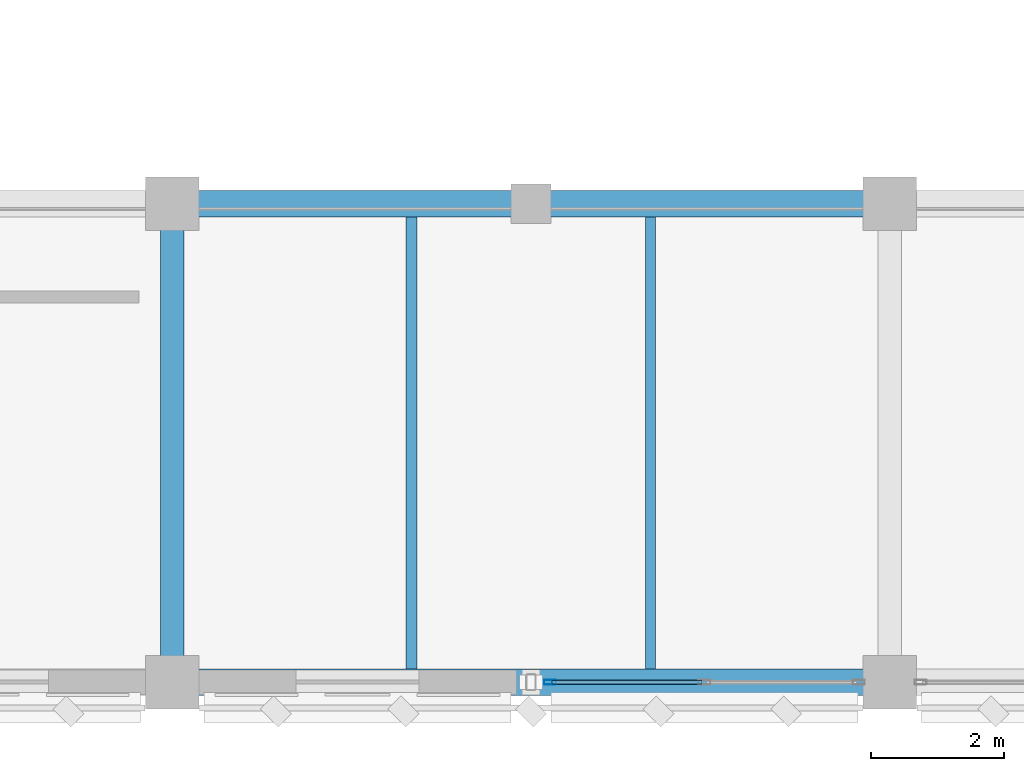
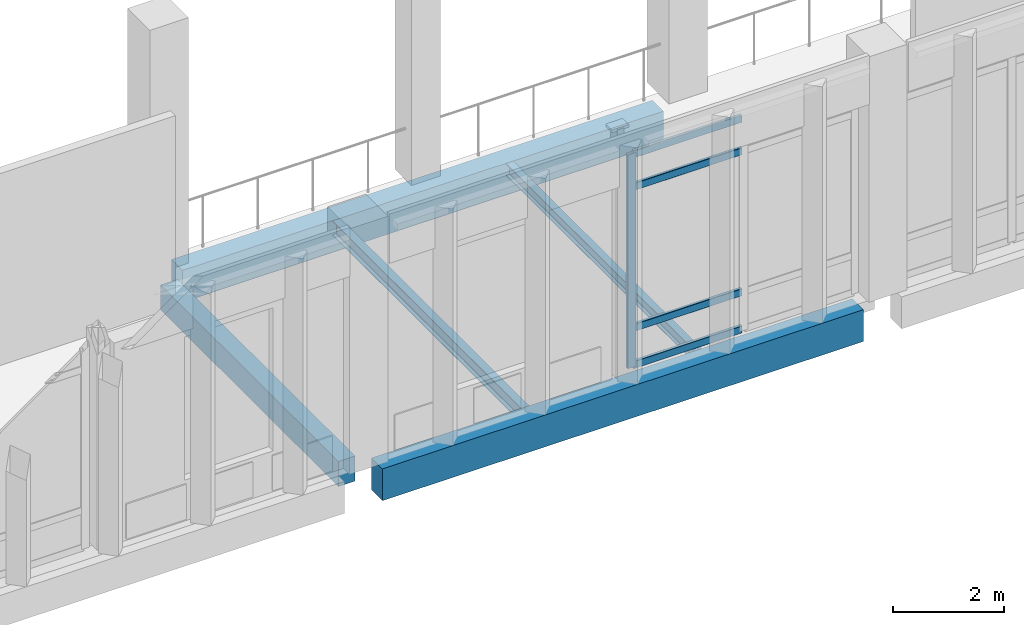
# One storey, part 11 of 180: 5 beams, 5 members, 1 element without a shape of its own.
"""IFC4 building model written with IfcOpenShell, lengths in metres."""

from ifc_helpers import new_model, si_unit, direction, frame, origin, origin_2d, place, context, subcontext, project, spatial, rectangle, hollow_rectangle, i_section, extrude, material, material_profile, profile_set, type_object, element, aggregate, save


model = new_model("IFC4")

# Units and contexts
model_context = context("Model", 3, precision=1e-05, world=origin(), true_north=direction((0.0, 1.0)))
body_context = subcontext(model_context, "Body", "Model", "MODEL_VIEW")
ifc_project = project(units=[si_unit("LENGTHUNIT", "METRE"), si_unit("AREAUNIT", "SQUARE_METRE"), si_unit("VOLUMEUNIT", "CUBIC_METRE"), si_unit("PLANEANGLEUNIT", "RADIAN"), si_unit("MASSUNIT", "GRAM", prefix="KILO")], contexts=[model_context])

# Site, building, storey
site_placement = place(None, origin())
site = spatial("IfcSite", under=ifc_project, at=site_placement, CompositionType="ELEMENT")
building_placement = place(site_placement, origin())
building = spatial("IfcBuilding", under=site, at=building_placement, Name="Lusvemor Sports Hall", CompositionType="ELEMENT")
storey_placement = place(building_placement, frame((0.0, 0.0, 5.39990234375)))
storey = spatial("IfcBuildingStorey", under=building, at=storey_placement, Name="L01", CompositionType="ELEMENT", Elevation=5.39990234375)

# Beam
ifc_material_1 = material(Name="Concrete C40/50", Category="concrete")
ifc_material_profile_1 = material_profile(ifc_material_1, rectangle(XDim=0.35009765625, YDim=0.550048828125, at=origin_2d()), Name="RC350x550")
ifc_profile_set_1 = profile_set([ifc_material_profile_1], Name="Concrete C40/50")
beam_type_1 = type_object("IfcBeamType", Name="BEAM_RC_550", PredefinedType="BEAM", material=ifc_profile_set_1)
beam_1_placement = place(storey_placement, frame((21.60009765625, 0.39599609375, -0.554931640625), z_axis=(0.0, 1.0, 0.0), x_axis=(-1.0, 0.0, 0.0)))
element("IfcBeam", 1, at=beam_1_placement, inside=storey, type_object=beam_type_1, Name="Beam L01 3:A-B", PredefinedType="BEAM", context=body_context, shape_type="SweptSolid", body=[
    extrude(rectangle(XDim=0.35009765625, YDim=0.550048828125, at=origin_2d()), origin(), (0.0, 0.0, 1.0), 6.407958984375),
])

# Curtain wall, members
ifc_material_2 = material(Name="Thermally broken bronze-anodized aluminium", Category="aluminium")
curtain_wall_type = type_object("IfcCurtainWallType", Name="CW_COURT_C", PredefinedType="NOTDEFINED", material=ifc_material_2)
curtain_wall_placement = place(storey_placement, origin())
curtain_wall = element("IfcCurtainWall", 2, at=curtain_wall_placement, inside=storey, type_object=curtain_wall_type, Name="Curtain Wall CW-V1S-L01-2-2", PredefinedType="NOTDEFINED")
ifc_material_3 = material(Name="Thermally broken bronze-anodized aluminium", Category="aluminium")
ifc_material_profile_2 = material_profile(ifc_material_3, hollow_rectangle(XDim=0.070068359375, YDim=0.179931640625, WallThickness=0.0048828125, InnerFilletRadius=0.0048828125, OuterFilletRadius=0.010009765625, at=origin_2d()), Name="CWMUL180x70x5")
ifc_profile_set_2 = profile_set([ifc_material_profile_2], Name="Thermally broken bronze-anodized aluminium")
member_type_1 = type_object("IfcMemberType", Name="CW_MUL_A", PredefinedType="MULLION", material=ifc_profile_set_2)
member_1_placement = place(storey_placement, frame((27.284912109375, 0.0, 0.0), z_axis=(0.0, 0.0, 1.0), x_axis=(0.0, -1.0, 0.0)))
member_1 = element("IfcMember", 3, at=member_1_placement, type_object=member_type_1, Name="CW03 mullion 3", PredefinedType="MULLION", context=body_context, shape_type="SweptSolid", body=[
    extrude(hollow_rectangle(XDim=0.070068359375, YDim=0.179931640625, WallThickness=0.0048828125, InnerFilletRadius=0.0048828125, OuterFilletRadius=0.010009765625, at=origin_2d()), origin(), (0.0, 0.0, 1.0), 4.7001953125),
])
ifc_material_4 = material(Name="Thermally broken bronze-anodized aluminium", Category="aluminium")
ifc_material_profile_3 = material_profile(ifc_material_4, hollow_rectangle(XDim=0.06494140625, YDim=0.159912109375, WallThickness=0.00390625, InnerFilletRadius=0.00390625, OuterFilletRadius=0.008056640625, at=origin_2d()), Name="CWTRN160x65x4")
ifc_profile_set_3 = profile_set([ifc_material_profile_3], Name="Thermally broken bronze-anodized aluminium")
member_type_2 = type_object("IfcMemberType", Name="CW_TRN_A", PredefinedType="USERDEFINED", material=ifc_profile_set_3)
member_2_placement = place(storey_placement, frame((29.574951171875, 0.0, 0.03271484375), z_axis=(-1.0, 0.0, 0.0), x_axis=(0.0, -1.0, 0.0)))
member_2 = element("IfcMember", 4, at=member_2_placement, type_object=member_type_2, Name="CW03 transom 2.1", ObjectType="TRANSOM", PredefinedType="USERDEFINED", context=body_context, shape_type="SweptSolid", body=[
    extrude(hollow_rectangle(XDim=0.06494140625, YDim=0.159912109375, WallThickness=0.00390625, InnerFilletRadius=0.00390625, OuterFilletRadius=0.008056640625, at=origin_2d()), origin(), (0.0, 0.0, 1.0), 2.2548828125),
])
member_3_placement = place(storey_placement, frame((29.574951171875, 0.0, 0.85009765625), z_axis=(-1.0, 0.0, 0.0), x_axis=(0.0, -1.0, 0.0)))
member_3 = element("IfcMember", 5, at=member_3_placement, type_object=member_type_2, Name="CW03 transom 2.2", ObjectType="TRANSOM", PredefinedType="USERDEFINED", context=body_context, shape_type="SweptSolid", body=[
    extrude(hollow_rectangle(XDim=0.06494140625, YDim=0.159912109375, WallThickness=0.00390625, InnerFilletRadius=0.00390625, OuterFilletRadius=0.008056640625, at=origin_2d()), origin(), (0.0, 0.0, 1.0), 2.2548828125),
])
member_4_placement = place(storey_placement, frame((29.574951171875, 0.0, 3.9501953125), z_axis=(-1.0, 0.0, 0.0), x_axis=(0.0, -1.0, 0.0)))
member_4 = element("IfcMember", 6, at=member_4_placement, type_object=member_type_2, Name="CW03 transom 2.3", ObjectType="TRANSOM", PredefinedType="USERDEFINED", context=body_context, shape_type="SweptSolid", body=[
    extrude(hollow_rectangle(XDim=0.06494140625, YDim=0.159912109375, WallThickness=0.00390625, InnerFilletRadius=0.00390625, OuterFilletRadius=0.008056640625, at=origin_2d()), origin(), (0.0, 0.0, 1.0), 2.2548828125),
])
member_5_placement = place(storey_placement, frame((29.574951171875, 0.0, 4.66748046875), z_axis=(-1.0, 0.0, 0.0), x_axis=(0.0, -1.0, 0.0)))
member_5 = element("IfcMember", 7, at=member_5_placement, type_object=member_type_2, Name="CW03 transom 2.4", ObjectType="TRANSOM", PredefinedType="USERDEFINED", context=body_context, shape_type="SweptSolid", body=[
    extrude(hollow_rectangle(XDim=0.06494140625, YDim=0.159912109375, WallThickness=0.00390625, InnerFilletRadius=0.00390625, OuterFilletRadius=0.008056640625, at=origin_2d()), origin(), (0.0, 0.0, 1.0), 2.2548828125),
])
aggregate(curtain_wall, [member_1, member_2, member_3, member_4, member_5])

# Beams
ifc_material_5 = material(Name="Steel S355", Category="steel")
ifc_material_profile_4 = material_profile(ifc_material_5, i_section(OverallWidth=0.14794921875, OverallDepth=0.26611328125, WebThickness=0.007568359375, FlangeThickness=0.012939453125, FilletRadius=0.012939453125, at=origin_2d()), Name="W250x44.8")
ifc_profile_set_4 = profile_set([ifc_material_profile_4], Name="Steel S355")
beam_type_2 = type_object("IfcBeamType", Name="JOIST_ST_250M", PredefinedType="JOIST", material=ifc_profile_set_4)
beam_2_placement = place(storey_placement, frame((28.800048828125, 0.196044921875, -0.4169921875), z_axis=(0.0, 1.0, 0.0), x_axis=(-1.0, 0.0, 0.0)))
element("IfcBeam", 8, at=beam_2_placement, inside=storey, type_object=beam_type_2, Name="Secondary Joist L01 3-4/A-B #2", PredefinedType="JOIST", context=body_context, shape_type="SweptSolid", body=[
    extrude(i_section(OverallWidth=0.14794921875, OverallDepth=0.26611328125, WebThickness=0.007568359375, FlangeThickness=0.012939453125, FilletRadius=0.012939453125, at=origin_2d()), origin(), (0.0, 0.0, 1.0), 6.807861328125),
])
ifc_material_6 = material(Name="Steel S355", Category="steel")
ifc_material_profile_5 = material_profile(ifc_material_6, i_section(OverallWidth=0.1669921875, OverallDepth=0.31689453125, WebThickness=0.007568359375, FlangeThickness=0.01318359375, FilletRadius=0.014892578125, at=origin_2d()), Name="W310x52.0")
ifc_profile_set_5 = profile_set([ifc_material_profile_5], Name="Steel S355")
beam_type_3 = type_object("IfcBeamType", Name="JOIST_ST_310M", PredefinedType="JOIST", material=ifc_profile_set_5)
beam_3_placement = place(storey_placement, frame((25.199951171875, 0.196044921875, -0.4423828125), z_axis=(0.0, 1.0, 0.0), x_axis=(-1.0, 0.0, 0.0)))
element("IfcBeam", 9, at=beam_3_placement, inside=storey, type_object=beam_type_3, Name="Secondary Joist L01 3-4/A-B #1", PredefinedType="JOIST", context=body_context, shape_type="SweptSolid", body=[
    extrude(i_section(OverallWidth=0.1669921875, OverallDepth=0.31689453125, WebThickness=0.007568359375, FlangeThickness=0.01318359375, FilletRadius=0.014892578125, at=origin_2d()), origin(), (0.0, 0.0, 1.0), 6.807861328125),
])
ifc_material_7 = material(Name="Concrete C40/50", Category="concrete")
ifc_material_profile_6 = material_profile(ifc_material_7, rectangle(XDim=0.39990234375, YDim=0.699951171875, at=origin_2d()), Name="RC400x700")
ifc_profile_set_6 = profile_set([ifc_material_profile_6], Name="Concrete C40/50")
beam_type_4 = type_object("IfcBeamType", Name="SPAND_EXT_700", PredefinedType="SPANDREL", material=ifc_profile_set_6)
for number, where, z_axis, x_axis, name in (
    (10, (21.99609375, 0.0, -0.6298828125), (1.0, 0.0, 0.0), (0.0, 1.0, 0.0), "Beam L01 A:3-4"),
    (11, (21.99609375, 7.199951171875, -0.6298828125), (1.0, 0.0, 0.0), (0.0, 1.0, 0.0), "Beam L01 B:3-4"),
):
    element("IfcBeam", number, at=place(storey_placement, frame(where, z_axis=z_axis, x_axis=x_axis)), inside=storey, type_object=beam_type_4, Name=name, PredefinedType="SPANDREL", context=body_context, shape_type="SweptSolid", body=[
        extrude(rectangle(XDim=0.39990234375, YDim=0.699951171875, at=origin_2d()), origin(), (0.0, 0.0, 1.0), 10.0078125),
    ])

save(model, "model.ifc")
